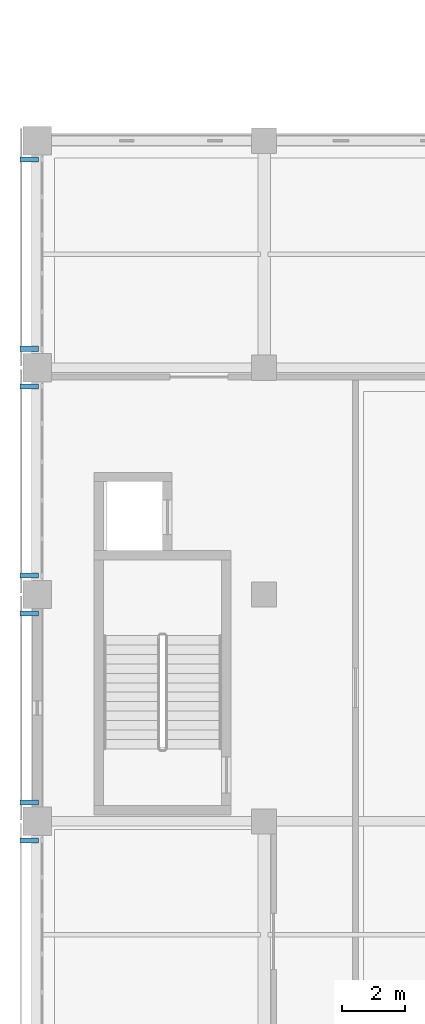
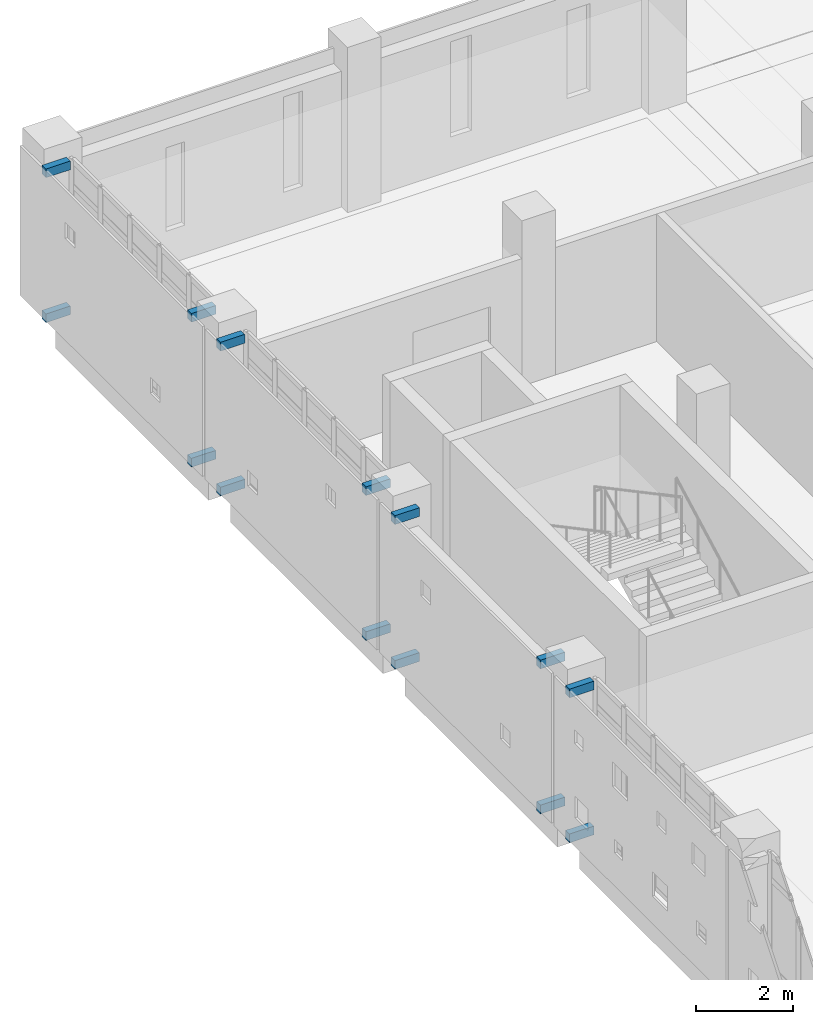
# One storey, part 52 of 62: 14 discrete accessories.
"""IFC4 building model written with IfcOpenShell, lengths in metres."""

from ifc_helpers import new_model, si_unit, direction, frame, origin, origin_2d, place, context, subcontext, project, spatial, rectangle, extrude, material, type_object, element, save


model = new_model("IFC4")

# Units and contexts
model_context = context("Model", 3, precision=1e-05, world=origin(), true_north=direction((0.0, 1.0)))
body_context = subcontext(model_context, "Body", "Model", "MODEL_VIEW")
ifc_project = project(units=[si_unit("LENGTHUNIT", "METRE"), si_unit("AREAUNIT", "SQUARE_METRE"), si_unit("VOLUMEUNIT", "CUBIC_METRE"), si_unit("PLANEANGLEUNIT", "RADIAN"), si_unit("MASSUNIT", "GRAM", prefix="KILO")], contexts=[model_context])

# Site, building, storey
site_placement = place(None, origin())
site = spatial("IfcSite", under=ifc_project, at=site_placement, CompositionType="ELEMENT")
building_placement = place(site_placement, origin())
building = spatial("IfcBuilding", under=site, at=building_placement, Name="Valkovuoma Quantum and Materials Research Institute", CompositionType="ELEMENT")
storey_placement = place(building_placement, frame((0.0, 0.0, 13.1201171875)))
storey = spatial("IfcBuildingStorey", under=building, at=storey_placement, Name="L03", CompositionType="ELEMENT", Elevation=13.1201171875)

# Discrete accessories
ifc_material = material(Name="Steel S355J2", Category="steel")
discrete_accessory_type = type_object("IfcDiscreteAccessoryType", Name="Brk-BRK-01", PredefinedType="BRACKET", material=ifc_material)
for number, where, z_axis, x_axis, name in (
    (1, (-0.25, 71.39990234375, -0.0302734375), (0.0, 0.0, 1.0), (1.0, 0.0, 0.0), "L03 screen bracket 00130"),
    (2, (-0.25, 71.39990234375, 3.6201171875), (0.0, 0.0, 1.0), (1.0, 0.0, 0.0), "L03 screen bracket 00132"),
    (3, (-0.25, 72.60009765625, -0.0302734375), (0.0, 0.0, 1.0), (1.0, 0.0, 0.0), "L03 screen bracket 00133"),
    (4, (-0.25, 78.60009765625, -0.0302734375), (0.0, 0.0, 1.0), (1.0, 0.0, 0.0), "L03 screen bracket 00134"),
    (5, (-0.25, 72.60009765625, 3.6201171875), (0.0, 0.0, 1.0), (1.0, 0.0, 0.0), "L03 screen bracket 00135"),
    (6, (-0.25, 78.60009765625, 3.6201171875), (0.0, 0.0, 1.0), (1.0, 0.0, 0.0), "L03 screen bracket 00136"),
    (7, (-0.25, 79.800048828125, -0.0302734375), (0.0, 0.0, 1.0), (1.0, 0.0, 0.0), "L03 screen bracket 00137"),
    (8, (-0.25, 85.800048828125, -0.0302734375), (0.0, 0.0, 1.0), (1.0, 0.0, 0.0), "L03 screen bracket 00138"),
    (9, (-0.25, 79.800048828125, 3.6201171875), (0.0, 0.0, 1.0), (1.0, 0.0, 0.0), "L03 screen bracket 00139"),
    (10, (-0.25, 85.800048828125, 3.6201171875), (0.0, 0.0, 1.0), (1.0, 0.0, 0.0), "L03 screen bracket 00140"),
    (11, (-0.25, 87.0, -0.0302734375), (0.0, 0.0, 1.0), (1.0, 0.0, 0.0), "L03 screen bracket 00141"),
    (12, (-0.25, 93.0, -0.0302734375), (0.0, 0.0, 1.0), (1.0, 0.0, 0.0), "L03 screen bracket 00142"),
    (13, (-0.25, 87.0, 3.6201171875), (0.0, 0.0, 1.0), (1.0, 0.0, 0.0), "L03 screen bracket 00143"),
    (14, (-0.25, 93.0, 3.6201171875), (0.0, 0.0, 1.0), (1.0, 0.0, 0.0), "L03 screen bracket 00144"),
):
    element("IfcDiscreteAccessory", number, at=place(storey_placement, frame(where, z_axis=z_axis, x_axis=x_axis)), inside=storey, type_object=discrete_accessory_type, Name=name, PredefinedType="BRACKET", context=body_context, shape_type="SweptSolid", body=[
        extrude(rectangle(XDim=0.580078125, YDim=0.159912109375, at=origin_2d()), origin(), (0.0, 0.0, 1.0), 0.219970703125),
    ])

save(model, "model.ifc")
